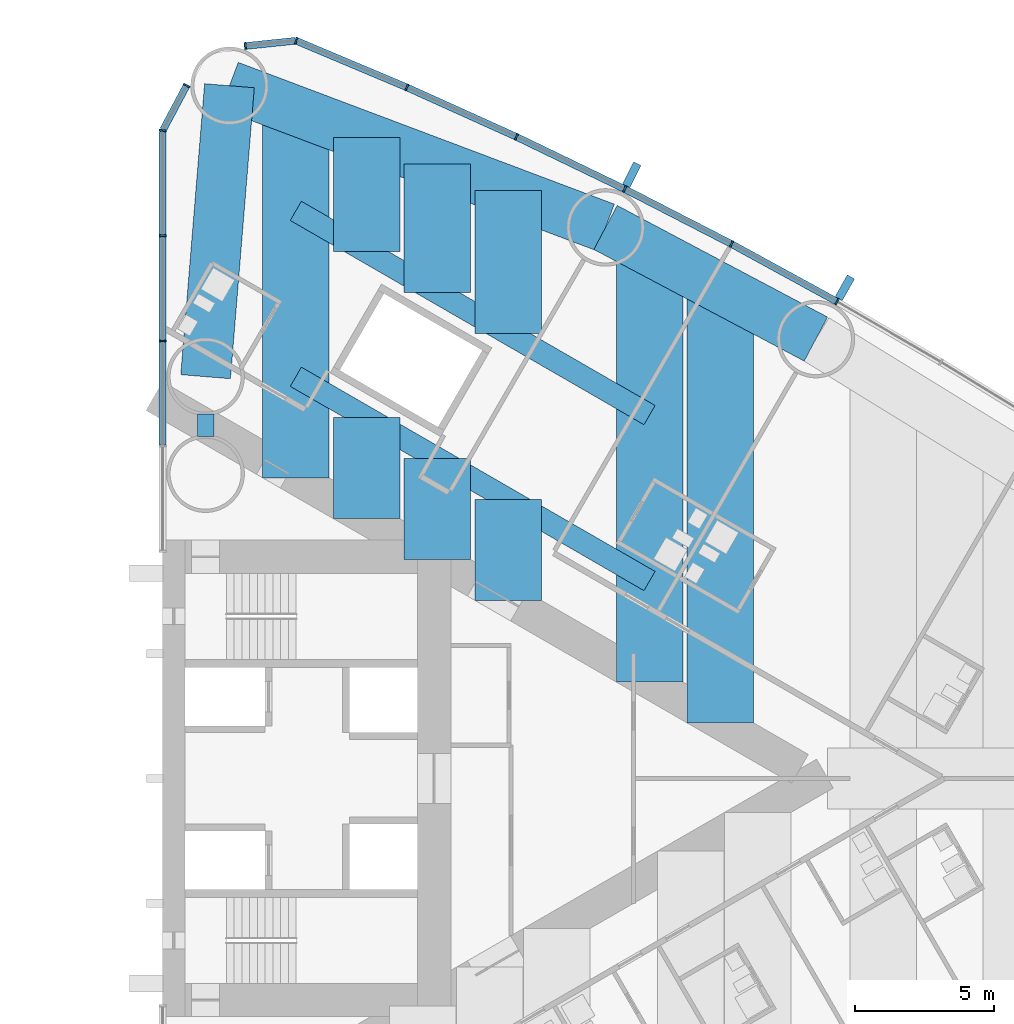
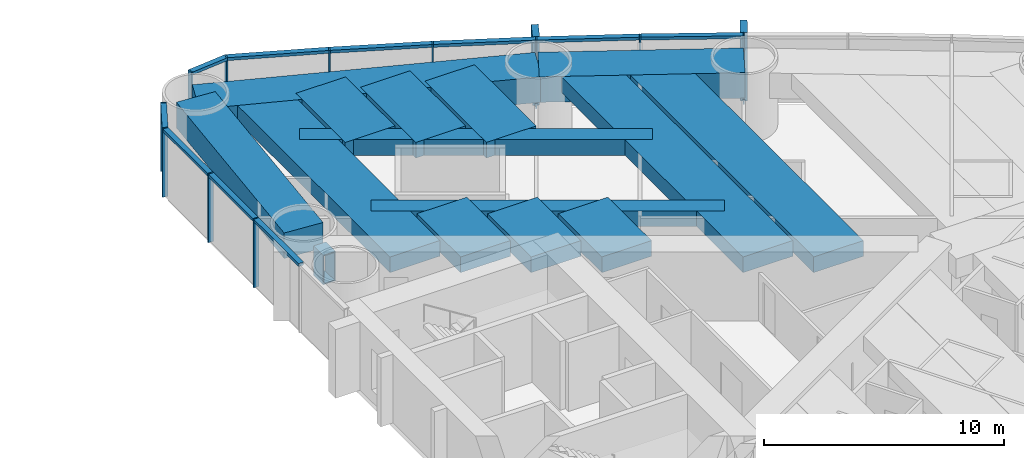
# One storey, part 7 of 19: 23 members, 15 beams, 2 elements without a shape of their own.
"""IFC4 building model written with IfcOpenShell, lengths in metres."""

from ifc_helpers import new_model, si_unit, direction, frame, origin, origin_2d, place, context, subcontext, project, spatial, rectangle, hollow_rectangle, extrude, material, material_profile, profile_set, type_object, element, aggregate, save


model = new_model("IFC4")

# Units and contexts
model_context = context("Model", 3, precision=1e-05, world=origin(), true_north=direction((0.0, 1.0)))
body_context = subcontext(model_context, "Body", "Model", "MODEL_VIEW")
ifc_project = project(units=[si_unit("LENGTHUNIT", "METRE"), si_unit("AREAUNIT", "SQUARE_METRE"), si_unit("VOLUMEUNIT", "CUBIC_METRE"), si_unit("PLANEANGLEUNIT", "RADIAN"), si_unit("MASSUNIT", "GRAM", prefix="KILO")], contexts=[model_context])

# Site, building, storey
site_placement = place(None, origin())
site = spatial("IfcSite", under=ifc_project, at=site_placement, CompositionType="ELEMENT")
building_placement = place(site_placement, origin())
building = spatial("IfcBuilding", under=site, at=building_placement, Name="Lancet Gate Hotel", CompositionType="ELEMENT")
storey_placement = place(building_placement, frame((0.0, 0.0, 63.5)))
storey = spatial("IfcBuildingStorey", under=building, at=storey_placement, Name="L16", CompositionType="ELEMENT", Elevation=63.5)

# Curtain wall, members
ifc_material_1 = material(Name="Aluminium curtain wall", Category="aluminium")
curtain_wall_type = type_object("IfcCurtainWallType", Name="Tower unitised curtain wall", PredefinedType="USERDEFINED", material=ifc_material_1)
curtain_wall_1_placement = place(storey_placement, origin())
curtain_wall_1 = element("IfcCurtainWall", 1, at=curtain_wall_1_placement, inside=storey, type_object=curtain_wall_type, Name="T2 L16 curtain wall 3", ObjectType="UNITISED CURTAIN WALL", PredefinedType="USERDEFINED")
ifc_material_2 = material(Name="Aluminium mullion", Category="aluminium")
ifc_material_profile_1 = material_profile(ifc_material_2, rectangle(XDim=0.06494140625, YDim=0.25, at=origin_2d()), Name="MULLION 65x250")
ifc_profile_set_1 = profile_set([ifc_material_profile_1], Name="Aluminium mullion")
member_type_1 = type_object("IfcMemberType", Name="Aluminium mullion 65x250", PredefinedType="MULLION", material=ifc_profile_set_1)
member_1_placement = place(storey_placement, frame((51.838623046875, 17.208740234375, 0.0), z_axis=(0.0, 0.0, 1.0), x_axis=(-0.871190450382, 0.490945209941, 0.0)))
member_1 = element("IfcMember", 2, at=member_1_placement, type_object=member_type_1, Name="T2 L16 curtain wall 3 mullion 8", PredefinedType="MULLION", context=body_context, shape_type="SweptSolid", body=[
    extrude(rectangle(XDim=0.06494140625, YDim=0.25, at=origin_2d()), origin(), (0.0, 0.0, 1.0), 3.5),
])
member_2_placement = place(storey_placement, frame((48.03271484375, 19.2900390625, 0.0), z_axis=(0.0, 0.0, 1.0), x_axis=(-0.88340346743, 0.468613181347, 0.0)))
member_2 = element("IfcMember", 3, at=member_2_placement, type_object=member_type_1, Name="T2 L16 curtain wall 3 mullion 9", PredefinedType="MULLION", context=body_context, shape_type="SweptSolid", body=[
    extrude(rectangle(XDim=0.06494140625, YDim=0.25, at=origin_2d()), origin(), (0.0, 0.0, 1.0), 3.5),
])
member_3_placement = place(storey_placement, frame((44.17529296875, 21.273681640625, 0.0), z_axis=(0.0, 0.0, 1.0), x_axis=(-0.895044147438, 0.445977548917, 0.0)))
member_3 = element("IfcMember", 4, at=member_3_placement, type_object=member_type_1, Name="T2 L16 curtain wall 3 mullion 10", PredefinedType="MULLION", context=body_context, shape_type="SweptSolid", body=[
    extrude(rectangle(XDim=0.06494140625, YDim=0.25, at=origin_2d()), origin(), (0.0, 0.0, 1.0), 3.5),
])
member_4_placement = place(storey_placement, frame((40.2685546875, 23.15869140625, 0.0), z_axis=(0.0, 0.0, 1.0), x_axis=(-0.906104948671, 0.423052977762, 0.0)))
member_4 = element("IfcMember", 5, at=member_4_placement, type_object=member_type_1, Name="T2 L16 curtain wall 3 mullion 11", PredefinedType="MULLION", context=body_context, shape_type="SweptSolid", body=[
    extrude(rectangle(XDim=0.06494140625, YDim=0.25, at=origin_2d()), origin(), (0.0, 0.0, 1.0), 3.5),
])
member_5_placement = place(storey_placement, frame((36.31494140625, 24.943603515625, 0.0), z_axis=(0.0, 0.0, 1.0), x_axis=(-0.916578705089, 0.399854320193, 0.0)))
member_5 = element("IfcMember", 6, at=member_5_placement, type_object=member_type_1, Name="T2 L16 curtain wall 3 mullion 12", PredefinedType="MULLION", context=body_context, shape_type="SweptSolid", body=[
    extrude(rectangle(XDim=0.06494140625, YDim=0.25, at=origin_2d()), origin(), (0.0, 0.0, 1.0), 3.5),
])
member_6_placement = place(storey_placement, frame((32.3173828125, 26.62744140625, 0.0), z_axis=(0.0, 0.0, 1.0), x_axis=(-0.968721492963, 0.248150496819, 0.0)))
member_6 = element("IfcMember", 7, at=member_6_placement, type_object=member_type_1, Name="T2 L16 curtain wall 3 mullion 13", PredefinedType="MULLION", context=body_context, shape_type="SweptSolid", body=[
    extrude(rectangle(XDim=0.06494140625, YDim=0.25, at=origin_2d()), origin(), (0.0, 0.0, 1.0), 3.5),
])
member_7_placement = place(storey_placement, frame((30.48388671875, 26.4375, 0.0), z_axis=(0.0, 0.0, 1.0), x_axis=(-0.994672262412, -0.10308778001, 0.0)))
member_7 = element("IfcMember", 8, at=member_7_placement, type_object=member_type_1, Name="T2 L16 curtain wall 3 mullion 14", PredefinedType="MULLION", context=body_context, shape_type="SweptSolid", body=[
    extrude(rectangle(XDim=0.06494140625, YDim=0.25, at=origin_2d()), origin(), (0.0, 0.0, 1.0), 3.5),
])

curtain_wall_2_placement = place(storey_placement, origin())
curtain_wall_2 = element("IfcCurtainWall", 9, at=curtain_wall_2_placement, inside=storey, type_object=curtain_wall_type, Name="T2 L16 curtain wall 4", ObjectType="UNITISED CURTAIN WALL", PredefinedType="USERDEFINED")
member_8_placement = place(storey_placement, frame((28.366455078125, 25.012451171875, 0.0), z_axis=(0.0, 0.0, 1.0), x_axis=(-0.469897827284, -0.882720811987, 0.0)))
member_8 = element("IfcMember", 10, at=member_8_placement, type_object=member_type_1, Name="T2 L16 curtain wall 4 mullion 1", PredefinedType="MULLION", context=body_context, shape_type="SweptSolid", body=[
    extrude(rectangle(XDim=0.06494140625, YDim=0.25, at=origin_2d()), origin(), (0.0, 0.0, 1.0), 3.5),
])
member_9_placement = place(storey_placement, frame((27.5, 23.384765625, 0.0), z_axis=(0.0, 0.0, 1.0), x_axis=(-0.157751691459, -0.987478811844, 0.0)))
member_9 = element("IfcMember", 11, at=member_9_placement, type_object=member_type_1, Name="T2 L16 curtain wall 4 mullion 2", PredefinedType="MULLION", context=body_context, shape_type="SweptSolid", body=[
    extrude(rectangle(XDim=0.06494140625, YDim=0.25, at=origin_2d()), origin(), (0.0, 0.0, 1.0), 3.5),
])
member_10_placement = place(storey_placement, frame((27.5, 19.588623046875, 0.0), z_axis=(0.0, 0.0, 1.0), x_axis=(0.0, -1.0, 0.0)))
member_10 = element("IfcMember", 12, at=member_10_placement, type_object=member_type_1, Name="T2 L16 curtain wall 4 mullion 3", PredefinedType="MULLION", context=body_context, shape_type="SweptSolid", body=[
    extrude(rectangle(XDim=0.06494140625, YDim=0.25, at=origin_2d()), origin(), (0.0, 0.0, 1.0), 3.5),
])
member_11_placement = place(storey_placement, frame((27.5, 15.79248046875, 0.0), z_axis=(0.0, 0.0, 1.0), x_axis=(0.0, -1.0, 0.0)))
member_11 = element("IfcMember", 13, at=member_11_placement, type_object=member_type_1, Name="T2 L16 curtain wall 4 mullion 4", PredefinedType="MULLION", context=body_context, shape_type="SweptSolid", body=[
    extrude(rectangle(XDim=0.06494140625, YDim=0.25, at=origin_2d()), origin(), (0.0, 0.0, 1.0), 3.5),
])

# Member
ifc_material_3 = material(Name="Aluminium transom", Category="aluminium")
ifc_material_profile_2 = material_profile(ifc_material_3, rectangle(XDim=0.25, YDim=0.14990234375, at=origin_2d()), Name="TRANSOM 250x150")
ifc_profile_set_2 = profile_set([ifc_material_profile_2], Name="Aluminium transom")
member_type_2 = type_object("IfcMemberType", Name="Aluminium transom 250x150", PredefinedType="USERDEFINED", material=ifc_profile_set_2)
member_12_placement = place(storey_placement, frame((51.81005859375, 17.224365234375, 3.425048828125), z_axis=(-0.877377528879, 0.479800658417, 0.0), x_axis=(-0.479800658417, -0.877377528879, 0.0)))
member_12 = element("IfcMember", 14, at=member_12_placement, type_object=member_type_2, Name="T2 L16 curtain wall 3 transom 8", ObjectType="TRANSOM", PredefinedType="USERDEFINED", context=body_context, shape_type="SweptSolid", body=[
    extrude(rectangle(XDim=0.25, YDim=0.14990234375, at=origin_2d()), origin(), (0.0, 0.0, 1.0), 4.272705078125),
])

member_13_placement = place(storey_placement, frame((48.00390625, 19.304931640625, 3.425048828125), z_axis=(-0.88929576978, 0.457332520002, 0.0), x_axis=(-0.457332520002, -0.88929576978, 0.0)))
member_13 = element("IfcMember", 15, at=member_13_placement, type_object=member_type_2, Name="T2 L16 curtain wall 3 transom 9", ObjectType="TRANSOM", PredefinedType="USERDEFINED", context=body_context, shape_type="SweptSolid", body=[
    extrude(rectangle(XDim=0.25, YDim=0.14990234375, at=origin_2d()), origin(), (0.0, 0.0, 1.0), 4.272705078125),
])

member_14_placement = place(storey_placement, frame((44.14599609375, 21.287841796875, 3.425048828125), z_axis=(-0.900646499888, 0.434552508035, 0.0), x_axis=(-0.434552508035, -0.900646499888, 0.0)))
member_14 = element("IfcMember", 16, at=member_14_placement, type_object=member_type_2, Name="T2 L16 curtain wall 3 transom 10", ObjectType="TRANSOM", PredefinedType="USERDEFINED", context=body_context, shape_type="SweptSolid", body=[
    extrude(rectangle(XDim=0.25, YDim=0.14990234375, at=origin_2d()), origin(), (0.0, 0.0, 1.0), 4.272705078125),
])

member_15_placement = place(storey_placement, frame((40.23876953125, 23.172119140625, 3.425048828125), z_axis=(-0.911396871737, 0.411528543589, 0.0), x_axis=(-0.411528543589, -0.911396871737, 0.0)))
member_15 = element("IfcMember", 17, at=member_15_placement, type_object=member_type_2, Name="T2 L16 curtain wall 3 transom 11", ObjectType="TRANSOM", PredefinedType="USERDEFINED", context=body_context, shape_type="SweptSolid", body=[
    extrude(rectangle(XDim=0.25, YDim=0.14990234375, at=origin_2d()), origin(), (0.0, 0.0, 1.0), 4.272705078125),
])

member_16_placement = place(storey_placement, frame((36.28515625, 24.956298828125, 3.425048828125), z_axis=(-0.92159772617, 0.388146404233, 0.0), x_axis=(-0.388146404233, -0.92159772617, 0.0)))
member_16 = element("IfcMember", 18, at=member_16_placement, type_object=member_type_2, Name="T2 L16 curtain wall 3 transom 12", ObjectType="TRANSOM", PredefinedType="USERDEFINED", context=body_context, shape_type="SweptSolid", body=[
    extrude(rectangle(XDim=0.25, YDim=0.14990234375, at=origin_2d()), origin(), (0.0, 0.0, 1.0), 4.272705078125),
])

member_17_placement = place(storey_placement, frame((32.28515625, 26.6240234375, 3.425048828125), z_axis=(-0.994670452051, -0.103105246306, 0.0), x_axis=(0.103105246306, -0.994670452051, 0.0)))
member_17 = element("IfcMember", 19, at=member_17_placement, type_object=member_type_2, Name="T2 L16 curtain wall 3 transom 13", ObjectType="TRANSOM", PredefinedType="USERDEFINED", context=body_context, shape_type="SweptSolid", body=[
    extrude(rectangle(XDim=0.25, YDim=0.14990234375, at=origin_2d()), origin(), (0.0, 0.0, 1.0), 1.7783203125),
])

member_18_placement = place(storey_placement, frame((28.351318359375, 24.98388671875, 3.425048828125), z_axis=(-0.469904276347, -0.882717378933, 0.0), x_axis=(0.882717378933, -0.469904276347, 0.0)))
member_18 = element("IfcMember", 20, at=member_18_placement, type_object=member_type_2, Name="T2 L16 curtain wall 4 transom 1", ObjectType="TRANSOM", PredefinedType="USERDEFINED", context=body_context, shape_type="SweptSolid", body=[
    extrude(rectangle(XDim=0.25, YDim=0.14990234375, at=origin_2d()), origin(), (0.0, 0.0, 1.0), 1.779052734375),
])

member_19_placement = place(storey_placement, frame((27.5, 23.352294921875, 3.425048828125), z_axis=(0.0, -1.0, 0.0), x_axis=(1.0, 0.0, 0.0)))
member_19 = element("IfcMember", 21, at=member_19_placement, type_object=member_type_2, Name="T2 L16 curtain wall 4 transom 2", ObjectType="TRANSOM", PredefinedType="USERDEFINED", context=body_context, shape_type="SweptSolid", body=[
    extrude(rectangle(XDim=0.25, YDim=0.14990234375, at=origin_2d()), origin(), (0.0, 0.0, 1.0), 3.731201171875),
])

member_20_placement = place(storey_placement, frame((27.5, 19.55615234375, 3.425048828125), z_axis=(0.0, -1.0, 0.0), x_axis=(1.0, 0.0, 0.0)))
member_20 = element("IfcMember", 22, at=member_20_placement, type_object=member_type_2, Name="T2 L16 curtain wall 4 transom 3", ObjectType="TRANSOM", PredefinedType="USERDEFINED", context=body_context, shape_type="SweptSolid", body=[
    extrude(rectangle(XDim=0.25, YDim=0.14990234375, at=origin_2d()), origin(), (0.0, 0.0, 1.0), 3.731201171875),
])

member_21_placement = place(storey_placement, frame((27.5, 15.760009765625, 3.425048828125), z_axis=(0.0, -1.0, 0.0), x_axis=(1.0, 0.0, 0.0)))
member_21 = element("IfcMember", 23, at=member_21_placement, type_object=member_type_2, Name="T2 L16 curtain wall 4 transom 4", ObjectType="TRANSOM", PredefinedType="USERDEFINED", context=body_context, shape_type="SweptSolid", body=[
    extrude(rectangle(XDim=0.25, YDim=0.14990234375, at=origin_2d()), origin(), (0.0, 0.0, 1.0), 3.731201171875),
])

aggregate(curtain_wall_2, [member_8, member_9, member_10, member_11, member_18, member_19, member_20, member_21])

# Beams
ifc_material_4 = material(Name="Concrete C50/60", Category="concrete")
ifc_material_profile_3 = material_profile(ifc_material_4, rectangle(XDim=1.800048828125, YDim=1.300048828125, at=origin_2d()), Name="RC 1800x1300")
ifc_profile_set_3 = profile_set([ifc_material_profile_3], Name="Concrete C50/60")
beam_type_1 = type_object("IfcBeamType", Name="Edge beam RC 1800x1300", PredefinedType="SPANDREL", material=ifc_profile_set_3)
beam_1_placement = place(storey_placement, frame((51.07763671875, 15.8583984375, 2.60009765625), z_axis=(-0.883403493655, 0.46861313191, 0.0), x_axis=(-0.46861313191, -0.883403493655, 0.0)))
element("IfcBeam", 24, at=beam_1_placement, inside=storey, type_object=beam_type_1, Name="T2 edge beam EB1 L16", PredefinedType="SPANDREL", context=body_context, shape_type="SweptSolid", body=[
    extrude(rectangle(XDim=1.800048828125, YDim=1.300048828125, at=origin_2d()), origin(), (0.0, 0.0, 1.0), 8.595703125),
])
beam_2_placement = place(storey_placement, frame((43.484130859375, 19.886474609375, 2.60009765625), z_axis=(-0.935736448066, 0.352700013836, 0.0), x_axis=(-0.352700013836, -0.935736448066, 0.0)))
element("IfcBeam", 25, at=beam_2_placement, inside=storey, type_object=beam_type_1, Name="T2 edge beam EB1 L16", PredefinedType="SPANDREL", context=body_context, shape_type="SweptSolid", body=[
    extrude(rectangle(XDim=1.800048828125, YDim=1.300048828125, at=origin_2d()), origin(), (0.0, 0.0, 1.0), 14.505126953125),
])
beam_3_placement = place(storey_placement, frame((29.050048828125, 14.5, 2.60009765625), z_axis=(0.081714744052, 0.996655758326, 0.0), x_axis=(-0.996655758326, 0.081714744052, 0.0)))
element("IfcBeam", 26, at=beam_3_placement, inside=storey, type_object=beam_type_1, Name="T2 edge beam EB1 L16", PredefinedType="SPANDREL", context=body_context, shape_type="SweptSolid", body=[
    extrude(rectangle(XDim=1.800048828125, YDim=1.300048828125, at=origin_2d()), origin(), (0.0, 0.0, 1.0), 10.53759765625),
])

# Member
ifc_material_5 = material(Name="Precast concrete C50/60", Category="concrete")
ifc_material_profile_4 = material_profile(ifc_material_5, rectangle(XDim=0.300048828125, YDim=0.89990234375, at=origin_2d()), Name="FIN 300x900")
ifc_profile_set_4 = profile_set([ifc_material_profile_4], Name="Precast concrete C50/60")
member_type_3 = type_object("IfcMemberType", Name="Exposed concrete fin 300x900", PredefinedType="USERDEFINED", material=ifc_profile_set_4)
member_22_placement = place(storey_placement, frame((52.120849609375, 17.709716796875, 0.0), z_axis=(0.0, 0.0, 1.0), x_axis=(-0.871190450382, 0.490945209941, 0.0)))
member_22 = element("IfcMember", 27, at=member_22_placement, type_object=member_type_3, Name="T2 L16 curtain wall 3 fin 8", ObjectType="FIN", PredefinedType="USERDEFINED", context=body_context, shape_type="SweptSolid", body=[
    extrude(rectangle(XDim=0.300048828125, YDim=0.89990234375, at=origin_2d()), origin(), (0.0, 0.0, 1.0), 3.5),
])

member_23_placement = place(storey_placement, frame((44.431640625, 21.788330078125, 0.0), z_axis=(0.0, 0.0, 1.0), x_axis=(-0.895044147438, 0.445977548917, 0.0)))
member_23 = element("IfcMember", 28, at=member_23_placement, type_object=member_type_3, Name="T2 L16 curtain wall 3 fin 10", ObjectType="FIN", PredefinedType="USERDEFINED", context=body_context, shape_type="SweptSolid", body=[
    extrude(rectangle(XDim=0.300048828125, YDim=0.89990234375, at=origin_2d()), origin(), (0.0, 0.0, 1.0), 3.5),
])

aggregate(curtain_wall_1, [member_1, member_22, member_2, member_3, member_23, member_4, member_5, member_6, member_7, member_12, member_13, member_14, member_15, member_16, member_17])

# Beams
ifc_material_6 = material(Name="Concrete C50/60", Category="concrete")
ifc_material_profile_5 = material_profile(ifc_material_6, rectangle(XDim=2.39990234375, YDim=0.800048828125, at=origin_2d()), Name="RC 2400x800")
ifc_profile_set_5 = profile_set([ifc_material_profile_5], Name="Concrete C50/60")
beam_type_2 = type_object("IfcBeamType", Name="Floor beam RC 2400x800", PredefinedType="BEAM", material=ifc_profile_set_5)
beam_4_placement = place(storey_placement, frame((32.306396484375, 10.851806640625, 2.85009765625), z_axis=(0.0, 1.0, 0.0), x_axis=(-1.0, 0.0, 0.0)))
element("IfcBeam", 29, at=beam_4_placement, inside=storey, type_object=beam_type_2, Name="T2 floor beam F04N L16", PredefinedType="BEAM", context=body_context, shape_type="SweptSolid", body=[
    extrude(rectangle(XDim=2.39990234375, YDim=0.800048828125, at=origin_2d()), origin(), (0.0, 0.0, 1.0), 13.247802734375),
])
beam_5_placement = place(storey_placement, frame((45.072265625, 3.4814453125, 2.85009765625), z_axis=(0.0, 1.0, 0.0), x_axis=(-1.0, 0.0, 0.0)))
element("IfcBeam", 30, at=beam_5_placement, inside=storey, type_object=beam_type_2, Name="T2 floor beam F12N L16", PredefinedType="BEAM", context=body_context, shape_type="SweptSolid", body=[
    extrude(rectangle(XDim=2.39990234375, YDim=0.800048828125, at=origin_2d()), origin(), (0.0, 0.0, 1.0), 15.5625),
])
beam_6_placement = place(storey_placement, frame((47.62548828125, 2.00732421875, 2.85009765625), z_axis=(0.0, 1.0, 0.0), x_axis=(-1.0, 0.0, 0.0)))
element("IfcBeam", 31, at=beam_6_placement, inside=storey, type_object=beam_type_2, Name="T2 floor beam F14N L16", PredefinedType="BEAM", context=body_context, shape_type="SweptSolid", body=[
    extrude(rectangle(XDim=2.39990234375, YDim=0.800048828125, at=origin_2d()), origin(), (0.0, 0.0, 1.0), 15.68212890625),
])
beam_7_placement = place(storey_placement, frame((34.859619140625, 9.377685546875, 2.85009765625), z_axis=(0.0, 1.0, 0.0), x_axis=(-1.0, 0.0, 0.0)))
element("IfcBeam", 32, at=beam_7_placement, inside=storey, type_object=beam_type_2, Name="T2 floor beam F06NA L16", PredefinedType="BEAM", context=body_context, shape_type="SweptSolid", body=[
    extrude(rectangle(XDim=2.39990234375, YDim=0.800048828125, at=origin_2d()), origin(), (0.0, 0.0, 1.0), 3.645751953125),
])
beam_8_placement = place(storey_placement, frame((34.859619140625, 19.011474609375, 2.85009765625), z_axis=(0.0, 1.0, 0.0), x_axis=(-1.0, 0.0, 0.0)))
element("IfcBeam", 33, at=beam_8_placement, inside=storey, type_object=beam_type_2, Name="T2 floor beam F06NB L16", PredefinedType="BEAM", context=body_context, shape_type="SweptSolid", body=[
    extrude(rectangle(XDim=2.39990234375, YDim=0.800048828125, at=origin_2d()), origin(), (0.0, 0.0, 1.0), 4.125732421875),
])
beam_9_placement = place(storey_placement, frame((37.412841796875, 7.903564453125, 2.85009765625), z_axis=(0.0, 1.0, 0.0), x_axis=(-1.0, 0.0, 0.0)))
element("IfcBeam", 34, at=beam_9_placement, inside=storey, type_object=beam_type_2, Name="T2 floor beam F08NA L16", PredefinedType="BEAM", context=body_context, shape_type="SweptSolid", body=[
    extrude(rectangle(XDim=2.39990234375, YDim=0.800048828125, at=origin_2d()), origin(), (0.0, 0.0, 1.0), 3.6455078125),
])
beam_10_placement = place(storey_placement, frame((37.412841796875, 17.537109375, 2.85009765625), z_axis=(0.0, 1.0, 0.0), x_axis=(-1.0, 0.0, 0.0)))
element("IfcBeam", 35, at=beam_10_placement, inside=storey, type_object=beam_type_2, Name="T2 floor beam F08NB L16", PredefinedType="BEAM", context=body_context, shape_type="SweptSolid", body=[
    extrude(rectangle(XDim=2.39990234375, YDim=0.800048828125, at=origin_2d()), origin(), (0.0, 0.0, 1.0), 4.6376953125),
])
beam_11_placement = place(storey_placement, frame((39.9658203125, 6.429443359375, 2.85009765625), z_axis=(0.0, 1.0, 0.0), x_axis=(-1.0, 0.0, 0.0)))
element("IfcBeam", 36, at=beam_11_placement, inside=storey, type_object=beam_type_2, Name="T2 floor beam F10NA L16", PredefinedType="BEAM", context=body_context, shape_type="SweptSolid", body=[
    extrude(rectangle(XDim=2.39990234375, YDim=0.800048828125, at=origin_2d()), origin(), (0.0, 0.0, 1.0), 3.64501953125),
])
beam_12_placement = place(storey_placement, frame((39.9658203125, 16.062744140625, 2.85009765625), z_axis=(0.0, 1.0, 0.0), x_axis=(-1.0, 0.0, 0.0)))
element("IfcBeam", 37, at=beam_12_placement, inside=storey, type_object=beam_type_2, Name="T2 floor beam F10NB L16", PredefinedType="BEAM", context=body_context, shape_type="SweptSolid", body=[
    extrude(rectangle(XDim=2.39990234375, YDim=0.800048828125, at=origin_2d()), origin(), (0.0, 0.0, 1.0), 5.14990234375),
])
ifc_material_7 = material(Name="Steel S460QL", Category="steel")
ifc_material_profile_6 = material_profile(ifc_material_7, hollow_rectangle(XDim=0.60009765625, YDim=1.5, WallThickness=0.050048828125, at=origin_2d()), Name="BOX 1500x600x50")
ifc_profile_set_6 = profile_set([ifc_material_profile_6], Name="Steel S460QL")
beam_type_3 = type_object("IfcBeamType", Name="Inner-face link beam BOX 1500x600x50", PredefinedType="BEAM", material=ifc_profile_set_6)
beam_13_placement = place(storey_placement, frame((29.050048828125, 12.35009765625, 2.5), z_axis=(0.0, 1.0, 0.0), x_axis=(-1.0, 0.0, 0.0)))
element("IfcBeam", 38, at=beam_13_placement, inside=storey, type_object=beam_type_3, Name="T2 inner-face link beam LK1 L16", PredefinedType="BEAM", context=body_context, shape_type="SweptSolid", body=[
    extrude(hollow_rectangle(XDim=0.60009765625, YDim=1.5, WallThickness=0.050048828125, at=origin_2d()), origin(), (0.0, 0.0, 1.0), 0.7998046875),
])
ifc_material_8 = material(Name="Steel S460QL", Category="steel")
ifc_material_profile_7 = material_profile(ifc_material_8, hollow_rectangle(XDim=0.800048828125, YDim=0.800048828125, WallThickness=0.080078125, at=origin_2d()), Name="BOX 800x800x80")
ifc_profile_set_7 = profile_set([ifc_material_profile_7], Name="Steel S460QL")
beam_type_4 = type_object("IfcBeamType", Name="Trimmer beam BOX 800x800x80", PredefinedType="BEAM", material=ifc_profile_set_7)
beam_14_placement = place(storey_placement, frame((32.306396484375, 20.48583984375, 2.85009765625), z_axis=(0.86598286195, -0.500073677381, 0.0), x_axis=(0.500073677381, 0.86598286195, 0.0)))
element("IfcBeam", 39, at=beam_14_placement, inside=storey, type_object=beam_type_4, Name="T2 trimmer beam TR03N L16", PredefinedType="BEAM", context=body_context, shape_type="SweptSolid", body=[
    extrude(hollow_rectangle(XDim=0.800048828125, YDim=0.800048828125, WallThickness=0.080078125, at=origin_2d()), origin(), (0.0, 0.0, 1.0), 14.741455078125),
])
beam_15_placement = place(storey_placement, frame((32.306396484375, 14.497802734375, 2.85009765625), z_axis=(0.865975689888, -0.500086097111, 0.0), x_axis=(0.500086097111, 0.865975689888, 0.0)))
element("IfcBeam", 40, at=beam_15_placement, inside=storey, type_object=beam_type_4, Name="T2 trimmer beam TR04N L16", PredefinedType="BEAM", context=body_context, shape_type="SweptSolid", body=[
    extrude(hollow_rectangle(XDim=0.800048828125, YDim=0.800048828125, WallThickness=0.080078125, at=origin_2d()), origin(), (0.0, 0.0, 1.0), 14.74169921875),
])

save(model, "model.ifc")
